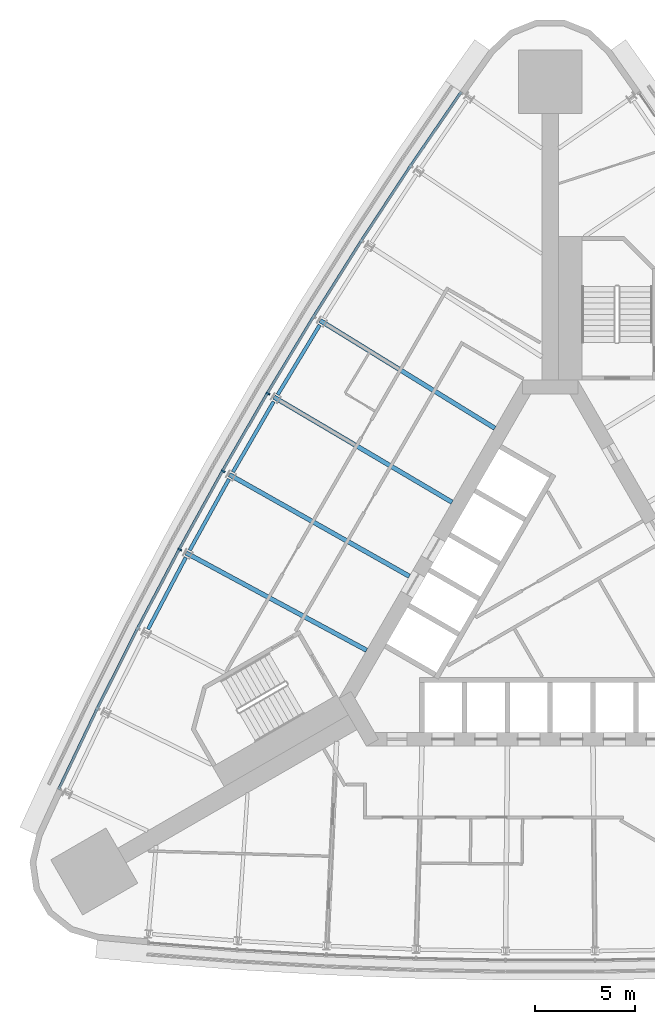
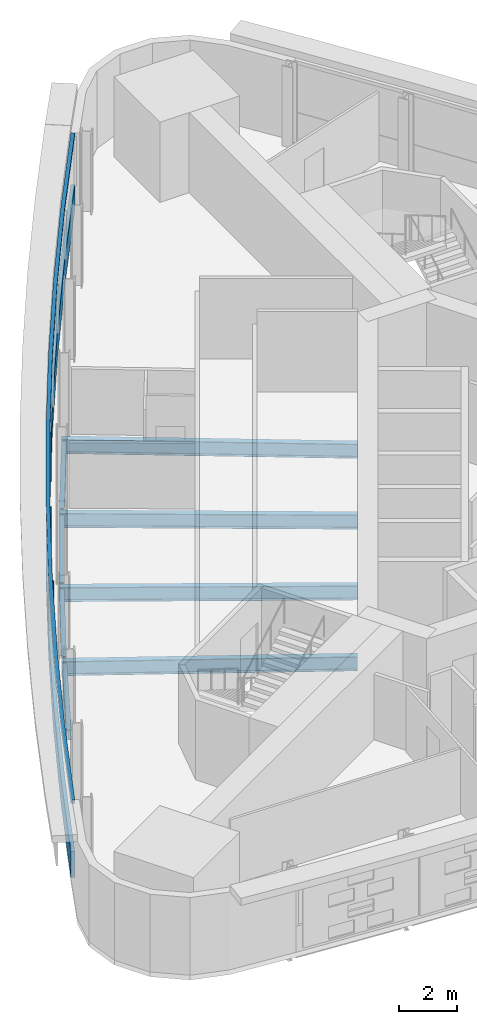
# One storey, part 4 of 14: 8 beams, 5 members, 1 element without a shape of its own.
"""IFC4 building model written with IfcOpenShell, lengths in metres."""

from ifc_helpers import new_model, si_unit, direction, frame, origin, origin_2d, place, context, subcontext, project, spatial, polyline, rectangle, i_section, outline, extrude, material, material_profile, profile_set, type_object, element, aggregate, save


model = new_model("IFC4")

# Units and contexts
model_context = context("Model", 3, precision=1e-05, world=origin(), true_north=direction((0.0, 1.0)))
body_context = subcontext(model_context, "Body", "Model", "MODEL_VIEW")
ifc_project = project(units=[si_unit("LENGTHUNIT", "METRE"), si_unit("AREAUNIT", "SQUARE_METRE"), si_unit("VOLUMEUNIT", "CUBIC_METRE"), si_unit("PLANEANGLEUNIT", "RADIAN"), si_unit("MASSUNIT", "GRAM", prefix="KILO")], contexts=[model_context])

# Site, building, storey
site_placement = place(None, origin())
site = spatial("IfcSite", under=ifc_project, at=site_placement, CompositionType="ELEMENT")
building_placement = place(site_placement, origin())
building = spatial("IfcBuilding", under=site, at=building_placement, Name="Noor Cloister Tower", CompositionType="ELEMENT")
storey_placement = place(building_placement, frame((0.0, 0.0, 76.199951171875)))
storey = spatial("IfcBuildingStorey", under=building, at=storey_placement, Name="L19", CompositionType="ELEMENT", Elevation=76.199951171875)

# Curtain wall, members
ifc_material_1 = material(Name="Aluminium 6063-T6 anodised", Category="aluminium")
curtain_wall_type = type_object("IfcCurtainWallType", Name="Ribbon curtain wall, lower tower CW1", PredefinedType="NOTDEFINED", material=ifc_material_1)
curtain_wall_placement = place(storey_placement, origin())
curtain_wall = element("IfcCurtainWall", 1, at=curtain_wall_placement, inside=storey, type_object=curtain_wall_type, Name="CW1 L19 NW run 1", PredefinedType="NOTDEFINED")
ifc_material_2 = material(Name="Aluminium 6063-T6 anodised", Category="aluminium")
member_type_1 = type_object("IfcMemberType", Name="Head transom CW1 150", PredefinedType="USERDEFINED", material=ifc_material_2)
member_1_placement = place(storey_placement, frame((0.0, 0.0, 3.150146484375)))
member_1 = element("IfcMember", 2, at=member_1_placement, type_object=member_type_1, Name="CW1 head transom", ObjectType="TRANSOM", PredefinedType="USERDEFINED", context=body_context, shape_type="SweptSolid", body=[
    extrude(outline(polyline([(-4.524169921875, 25.96533203125), (-7.06787109375, 22.25341796875), (-9.53955078125, 18.492919921875), (-11.938232421875, 14.685546875), (-14.262939453125, 10.832763671875), (-16.5126953125, 6.935546875), (-18.687255859375, 2.995849609375), (-20.78515625, -0.985107421875), (-22.805908203125, -5.005615234375), (-24.748779296875, -9.064697265625), (-24.62255859375, -9.125), (-22.68017578125, -5.0673828125), (-20.66064453125, -1.049072265625), (-18.56396484375, 2.929443359375), (-16.390869140625, 6.86669921875), (-14.142333984375, 10.761474609375), (-11.81884765625, 14.612060546875), (-9.421875, 18.417236328125), (-6.95166015625, 22.17529296875), (-4.40869140625, 25.88623046875), (-4.524169921875, 25.96533203125)])), origin(), (0.0, 0.0, 1.0), 0.14990234375),
])
ifc_material_3 = material(Name="Aluminium 6063-T6 anodised", Category="aluminium")
ifc_material_profile_1 = material_profile(ifc_material_3, rectangle(XDim=0.199951171875, YDim=0.080078125, at=origin_2d()), Name="200 x 80 mullion")
ifc_profile_set_1 = profile_set([ifc_material_profile_1], Name="Aluminium 6063-T6 anodised")
member_type_2 = type_object("IfcMemberType", Name="Mullion CW1 80 x 200", PredefinedType="MULLION", material=ifc_profile_set_1)
member_2_placement = place(storey_placement, frame((-14.1767578125, 10.78173828125, 1.10009765625), z_axis=(0.0, 0.0, 1.0), x_axis=(0.861162110029, -0.508330424282, 0.0)))
member_2 = element("IfcMember", 3, at=member_2_placement, type_object=member_type_2, Name="CW1 mullion 5", PredefinedType="MULLION", context=body_context, shape_type="SweptSolid", body=[
    extrude(rectangle(XDim=0.199951171875, YDim=0.080078125, at=origin_2d()), origin(), (0.0, 0.0, 1.0), 2.050048828125),
])
member_3_placement = place(storey_placement, frame((-16.42578125, 6.886474609375, 1.10009765625), z_axis=(0.0, 0.0, 1.0), x_axis=(0.870808115959, -0.49162305192, 0.0)))
member_3 = element("IfcMember", 4, at=member_3_placement, type_object=member_type_2, Name="CW1 mullion 6", PredefinedType="MULLION", context=body_context, shape_type="SweptSolid", body=[
    extrude(rectangle(XDim=0.199951171875, YDim=0.080078125, at=origin_2d()), origin(), (0.0, 0.0, 1.0), 2.050048828125),
])
member_4_placement = place(storey_placement, frame((-18.59912109375, 2.948486328125, 1.10009765625), z_axis=(0.0, 0.0, 1.0), x_axis=(0.880130014741, -0.474732721805, 0.0)))
member_4 = element("IfcMember", 5, at=member_4_placement, type_object=member_type_2, Name="CW1 mullion 7", PredefinedType="MULLION", context=body_context, shape_type="SweptSolid", body=[
    extrude(rectangle(XDim=0.199951171875, YDim=0.080078125, at=origin_2d()), origin(), (0.0, 0.0, 1.0), 2.050048828125),
])

# Beams
ifc_material_4 = material(Name="Steel ASTM A992 Gr 50", Category="steel")
ifc_material_profile_2 = material_profile(ifc_material_4, i_section(OverallWidth=0.22802734375, OverallDepth=0.60205078125, WebThickness=0.010498046875, FlangeThickness=0.014892578125, FilletRadius=0.0126953125, at=origin_2d()), Name="W610x101")
ifc_profile_set_2 = profile_set([ifc_material_profile_2], Name="Steel ASTM A992 Gr 50")
beam_type_1 = type_object("IfcBeamType", Name="Radial beam W610x101", PredefinedType="BEAM", material=ifc_profile_set_2)
beam_1_placement = place(storey_placement, frame((-11.552490234375, 14.44775390625, -0.5009765625), z_axis=(0.851198388975, -0.524844074565, 0.0), x_axis=(0.524844074565, 0.851198388975, 0.0)))
element("IfcBeam", 6, at=beam_1_placement, inside=storey, type_object=beam_type_1, Name="Radial beam NW 04 L19", PredefinedType="BEAM", context=body_context, shape_type="SweptSolid", body=[
    extrude(i_section(OverallWidth=0.22802734375, OverallDepth=0.60205078125, WebThickness=0.010498046875, FlangeThickness=0.014892578125, FilletRadius=0.0126953125, at=origin_2d()), origin(), (0.0, 0.0, 1.0), 10.304931640625),
])
beam_2_placement = place(storey_placement, frame((-13.872802734375, 10.6025390625, -0.5009765625), z_axis=(0.861158045586, -0.508337309789, 0.0), x_axis=(0.508337309789, 0.861158045586, 0.0)))
element("IfcBeam", 7, at=beam_2_placement, inside=storey, type_object=beam_type_1, Name="Radial beam NW 05 L19", PredefinedType="BEAM", context=body_context, shape_type="SweptSolid", body=[
    extrude(i_section(OverallWidth=0.22802734375, OverallDepth=0.60205078125, WebThickness=0.010498046875, FlangeThickness=0.014892578125, FilletRadius=0.0126953125, at=origin_2d()), origin(), (0.0, 0.0, 1.0), 10.387939453125),
])
beam_3_placement = place(storey_placement, frame((-16.118408203125, 6.712890625, -0.5009765625), z_axis=(0.870813111401, -0.491614203427, 0.0), x_axis=(0.491614203427, 0.870813111401, 0.0)))
element("IfcBeam", 8, at=beam_3_placement, inside=storey, type_object=beam_type_1, Name="Radial beam NW 06 L19", PredefinedType="BEAM", context=body_context, shape_type="SweptSolid", body=[
    extrude(i_section(OverallWidth=0.22802734375, OverallDepth=0.60205078125, WebThickness=0.010498046875, FlangeThickness=0.014892578125, FilletRadius=0.0126953125, at=origin_2d()), origin(), (0.0, 0.0, 1.0), 10.3876953125),
])
beam_4_placement = place(storey_placement, frame((-18.28857421875, 2.78076171875, -0.5009765625), z_axis=(0.880137671606, -0.474718526097, 0.0), x_axis=(0.474718526097, 0.880137671606, 0.0)))
element("IfcBeam", 9, at=beam_4_placement, inside=storey, type_object=beam_type_1, Name="Radial beam NW 07 L19", PredefinedType="BEAM", context=body_context, shape_type="SweptSolid", body=[
    extrude(i_section(OverallWidth=0.22802734375, OverallDepth=0.60205078125, WebThickness=0.010498046875, FlangeThickness=0.014892578125, FilletRadius=0.0126953125, at=origin_2d()), origin(), (0.0, 0.0, 1.0), 10.3046875),
])

# Member
ifc_material_5 = material(Name="Aluminium 6063-T6 anodised", Category="aluminium")
member_type_3 = type_object("IfcMemberType", Name="Sill transom CW1 1100", PredefinedType="USERDEFINED", material=ifc_material_5)
member_5_placement = place(storey_placement, origin())
member_5 = element("IfcMember", 10, at=member_5_placement, type_object=member_type_3, Name="CW1 sill transom", ObjectType="TRANSOM", PredefinedType="USERDEFINED", context=body_context, shape_type="SweptSolid", body=[
    extrude(outline(polyline([(-4.524169921875, 25.96533203125), (-7.06787109375, 22.25341796875), (-9.53955078125, 18.492919921875), (-11.938232421875, 14.685546875), (-14.262939453125, 10.832763671875), (-16.5126953125, 6.935546875), (-18.687255859375, 2.995849609375), (-20.78515625, -0.985107421875), (-22.805908203125, -5.005615234375), (-24.748779296875, -9.064697265625), (-24.62255859375, -9.125), (-22.68017578125, -5.0673828125), (-20.66064453125, -1.049072265625), (-18.56396484375, 2.929443359375), (-16.390869140625, 6.86669921875), (-14.142333984375, 10.761474609375), (-11.81884765625, 14.612060546875), (-9.421875, 18.417236328125), (-6.95166015625, 22.17529296875), (-4.40869140625, 25.88623046875), (-4.524169921875, 25.96533203125)])), origin(), (0.0, 0.0, 1.0), 1.10009765625),
])

aggregate(curtain_wall, [member_2, member_3, member_4, member_5, member_1])

# Beams
ifc_material_6 = material(Name="Steel ASTM A992 Gr 50", Category="steel")
ifc_material_profile_3 = material_profile(ifc_material_6, i_section(OverallWidth=0.177978515625, OverallDepth=0.406005859375, WebThickness=0.0078125, FlangeThickness=0.0126953125, FilletRadius=0.01025390625, at=origin_2d()), Name="W410x60")
ifc_profile_set_3 = profile_set([ifc_material_profile_3], Name="Steel ASTM A992 Gr 50")
beam_type_2 = type_object("IfcBeamType", Name="Spandrel beam W410x60", PredefinedType="SPANDREL", material=ifc_profile_set_3)
beam_5_placement = place(storey_placement, frame((-11.57421875, 14.223876953125, -0.40283203125), z_axis=(-0.516638531393, -0.856203613564, 0.0), x_axis=(0.856203613564, -0.516638531393, 0.0)))
element("IfcBeam", 11, at=beam_5_placement, inside=storey, type_object=beam_type_2, Name="Spandrel beam NW 04 L19", PredefinedType="SPANDREL", context=body_context, shape_type="SweptSolid", body=[
    extrude(i_section(OverallWidth=0.177978515625, OverallDepth=0.406005859375, WebThickness=0.0078125, FlangeThickness=0.0126953125, FilletRadius=0.01025390625, at=origin_2d()), origin(), (0.0, 0.0, 1.0), 4.085205078125),
])
beam_6_placement = place(storey_placement, frame((-13.89013671875, 10.378173828125, -0.40283203125), z_axis=(-0.500001788232, -0.866024371346, 0.0), x_axis=(0.866024371346, -0.500001788232, 0.0)))
element("IfcBeam", 12, at=beam_6_placement, inside=storey, type_object=beam_type_2, Name="Spandrel beam NW 05 L19", PredefinedType="SPANDREL", context=body_context, shape_type="SweptSolid", body=[
    extrude(i_section(OverallWidth=0.177978515625, OverallDepth=0.406005859375, WebThickness=0.0078125, FlangeThickness=0.0126953125, FilletRadius=0.01025390625, at=origin_2d()), origin(), (0.0, 0.0, 1.0), 4.08544921875),
])
beam_7_placement = place(storey_placement, frame((-16.131591796875, 6.48828125, -0.40283203125), z_axis=(-0.483180030896, -0.875521020732, 0.0), x_axis=(0.875521020732, -0.483180030896, 0.0)))
element("IfcBeam", 13, at=beam_7_placement, inside=storey, type_object=beam_type_2, Name="Spandrel beam NW 06 L19", PredefinedType="SPANDREL", context=body_context, shape_type="SweptSolid", body=[
    extrude(i_section(OverallWidth=0.177978515625, OverallDepth=0.406005859375, WebThickness=0.0078125, FlangeThickness=0.0126953125, FilletRadius=0.01025390625, at=origin_2d()), origin(), (0.0, 0.0, 1.0), 4.085205078125),
])
beam_8_placement = place(storey_placement, frame((-18.29736328125, 2.55615234375, -0.40283203125), z_axis=(-0.466187250384, -0.884686072898, 0.0), x_axis=(0.884686072898, -0.466187250384, 0.0)))
element("IfcBeam", 14, at=beam_8_placement, inside=storey, type_object=beam_type_2, Name="Spandrel beam NW 07 L19", PredefinedType="SPANDREL", context=body_context, shape_type="SweptSolid", body=[
    extrude(i_section(OverallWidth=0.177978515625, OverallDepth=0.406005859375, WebThickness=0.0078125, FlangeThickness=0.0126953125, FilletRadius=0.01025390625, at=origin_2d()), origin(), (0.0, 0.0, 1.0), 4.08544921875),
])

save(model, "model.ifc")
